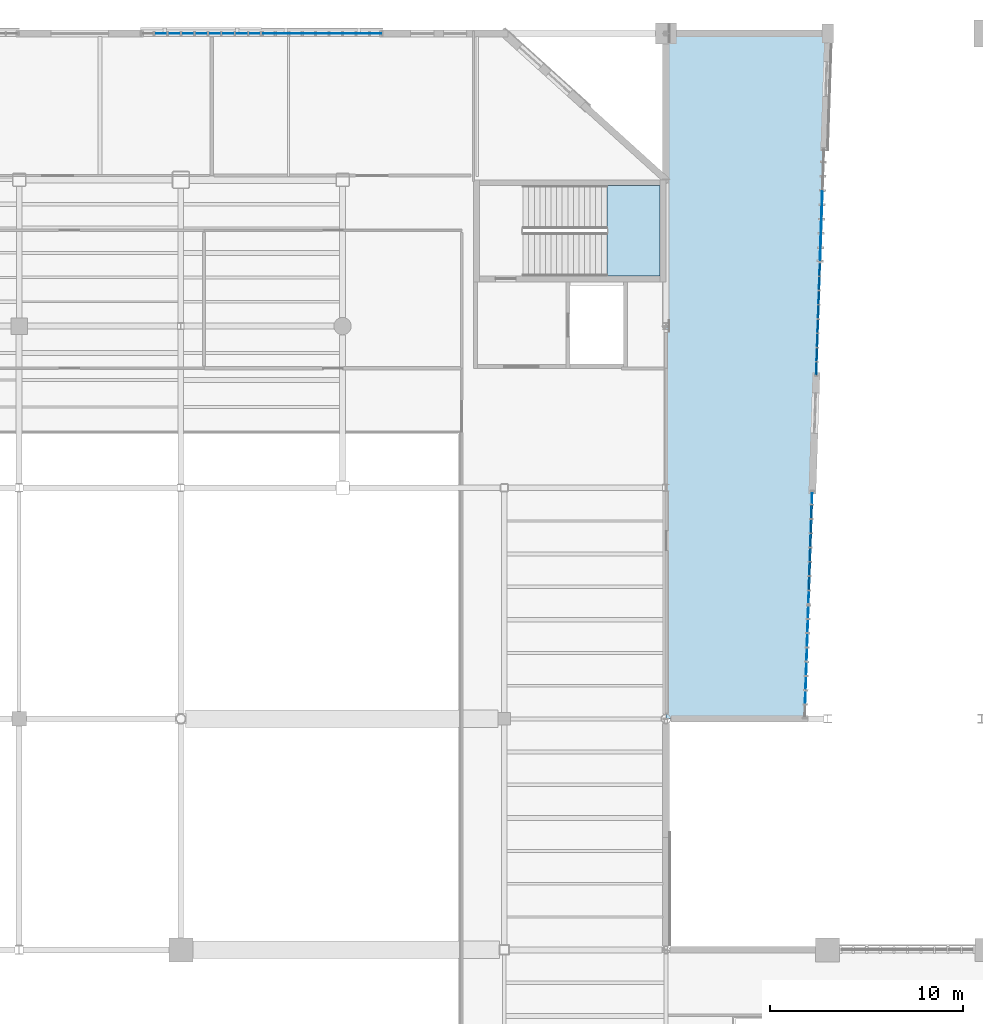
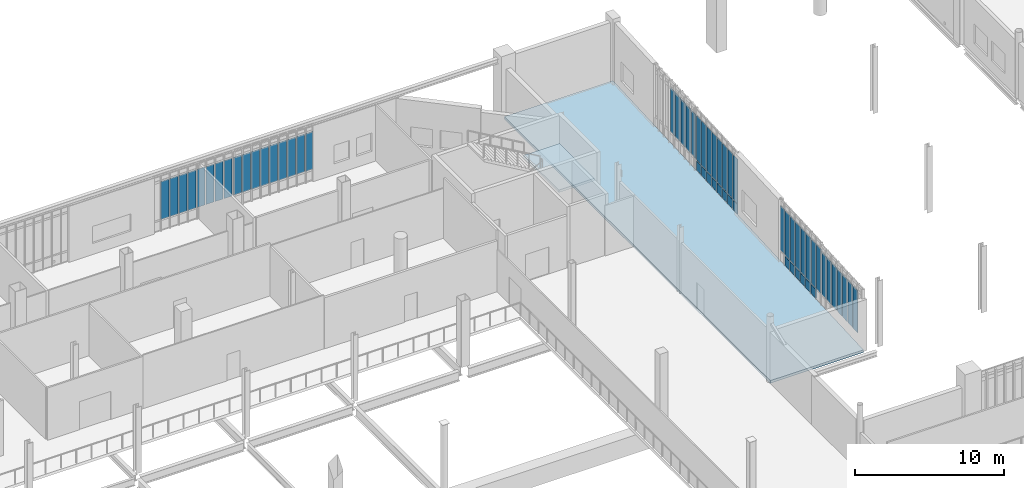
# One storey, part 79 of 127: 59 plates, 2 slabs, 7 elements without a shape of their own.
"""IFC4 building model written with IfcOpenShell, lengths in metres."""

from ifc_helpers import new_model, si_unit, direction, frame, origin, origin_2d, place, context, subcontext, project, spatial, polyline, rectangle, outline, extrude, material, layer, layer_set, type_object, element, aggregate, save


model = new_model("IFC4")

# Units and contexts
model_context = context("Model", 3, precision=1e-05, world=origin(), true_north=direction((0.0, 1.0)))
body_context = subcontext(model_context, "Body", "Model", "MODEL_VIEW")
ifc_project = project(units=[si_unit("LENGTHUNIT", "METRE"), si_unit("AREAUNIT", "SQUARE_METRE"), si_unit("VOLUMEUNIT", "CUBIC_METRE"), si_unit("PLANEANGLEUNIT", "RADIAN"), si_unit("MASSUNIT", "GRAM", prefix="KILO")], contexts=[model_context])

# Site, building, storey
site_placement = place(None, origin())
site = spatial("IfcSite", under=ifc_project, at=site_placement, CompositionType="ELEMENT")
building_placement = place(site_placement, origin())
building = spatial("IfcBuilding", under=site, at=building_placement, Name="Larkvane Passage Sports Hall", CompositionType="ELEMENT")
storey_placement = place(building_placement, frame((0.0, 0.0, 5.39990234375)))
storey = spatial("IfcBuildingStorey", under=building, at=storey_placement, Name="L01", CompositionType="ELEMENT", Elevation=5.39990234375)

# Curtain wall, plates
ifc_material_1 = material(Name="Thermally broken aluminium and low-E glazing", Category="aluminium")
curtain_wall_type_1 = type_object("IfcCurtainWallType", Name="CW-UNIT-COURT", PredefinedType="USERDEFINED", material=ifc_material_1)
curtain_wall_1_placement = place(storey_placement, origin())
curtain_wall_1 = element("IfcCurtainWall", 1, at=curtain_wall_1_placement, inside=storey, type_object=curtain_wall_type_1, Name="Curtain wall CW5-L01-044", ObjectType="UNITISED CURTAIN WALL", PredefinedType="USERDEFINED")
ifc_material_2 = material(Name="Insulated aluminium spandrel panel", Category="aluminium")
ifc_layer_1 = layer(ifc_material_2, 0.06494140625)
ifc_layer_set_1 = layer_set([ifc_layer_1], Name="Insulated aluminium spandrel panel")
plate_type_1 = type_object("IfcPlateType", Name="CWP-SPD-65", PredefinedType="CURTAIN_PANEL", material=ifc_layer_set_1)
plate_1_placement = place(storey_placement, frame((101.5869140625, 86.947509765625, 0.06005859375), z_axis=(0.0, 0.0, 1.0), x_axis=(-0.033688920742, -0.999432367206, 0.0)))
plate_1 = element("IfcPlate", 2, at=plate_1_placement, type_object=plate_type_1, Name="CW-01 panel 1.1", PredefinedType="CURTAIN_PANEL", context=body_context, shape_type="SweptSolid", body=[
    extrude(rectangle(XDim=0.652099609375, YDim=0.06494140625, at=origin_2d()), origin(), (0.0, 0.0, 1.0), 0.760009765625),
])
plate_2_placement = place(storey_placement, frame((101.5625, 86.220703125, 0.06005859375), z_axis=(0.0, 0.0, 1.0), x_axis=(-0.033688920742, -0.999432367206, 0.0)))
plate_2 = element("IfcPlate", 3, at=plate_2_placement, type_object=plate_type_1, Name="CW-01 panel 2.1", PredefinedType="CURTAIN_PANEL", context=body_context, shape_type="SweptSolid", body=[
    extrude(rectangle(XDim=0.68212890625, YDim=0.06494140625, at=origin_2d()), origin(), (0.0, 0.0, 1.0), 0.760009765625),
])
plate_3_placement = place(storey_placement, frame((101.53759765625, 85.479248046875, 0.06005859375), z_axis=(0.0, 0.0, 1.0), x_axis=(-0.033688920742, -0.999432367206, 0.0)))
plate_3 = element("IfcPlate", 4, at=plate_3_placement, type_object=plate_type_1, Name="CW-01 panel 3.1", PredefinedType="CURTAIN_PANEL", context=body_context, shape_type="SweptSolid", body=[
    extrude(rectangle(XDim=0.68212890625, YDim=0.06494140625, at=origin_2d()), origin(), (0.0, 0.0, 1.0), 0.760009765625),
])
plate_4_placement = place(storey_placement, frame((101.512451171875, 84.737548828125, 0.06005859375), z_axis=(0.0, 0.0, 1.0), x_axis=(-0.033688920742, -0.999432367206, 0.0)))
plate_4 = element("IfcPlate", 5, at=plate_4_placement, type_object=plate_type_1, Name="CW-01 panel 4.1", PredefinedType="CURTAIN_PANEL", context=body_context, shape_type="SweptSolid", body=[
    extrude(rectangle(XDim=0.68212890625, YDim=0.06494140625, at=origin_2d()), origin(), (0.0, 0.0, 1.0), 0.760009765625),
])
plate_5_placement = place(storey_placement, frame((101.487548828125, 83.995849609375, 0.06005859375), z_axis=(0.0, 0.0, 1.0), x_axis=(-0.033688920742, -0.999432367206, 0.0)))
plate_5 = element("IfcPlate", 6, at=plate_5_placement, type_object=plate_type_1, Name="CW-01 panel 5.1", PredefinedType="CURTAIN_PANEL", context=body_context, shape_type="SweptSolid", body=[
    extrude(rectangle(XDim=0.68212890625, YDim=0.06494140625, at=origin_2d()), origin(), (0.0, 0.0, 1.0), 0.760009765625),
])
plate_6_placement = place(storey_placement, frame((101.46240234375, 83.254150390625, 0.06005859375), z_axis=(0.0, 0.0, 1.0), x_axis=(-0.033688920742, -0.999432367206, 0.0)))
plate_6 = element("IfcPlate", 7, at=plate_6_placement, type_object=plate_type_1, Name="CW-01 panel 6.1", PredefinedType="CURTAIN_PANEL", context=body_context, shape_type="SweptSolid", body=[
    extrude(rectangle(XDim=0.68212890625, YDim=0.06494140625, at=origin_2d()), origin(), (0.0, 0.0, 1.0), 0.760009765625),
])
plate_7_placement = place(storey_placement, frame((101.4375, 82.512451171875, 0.06005859375), z_axis=(0.0, 0.0, 1.0), x_axis=(-0.033688920742, -0.999432367206, 0.0)))
plate_7 = element("IfcPlate", 8, at=plate_7_placement, type_object=plate_type_1, Name="CW-01 panel 7.1", PredefinedType="CURTAIN_PANEL", context=body_context, shape_type="SweptSolid", body=[
    extrude(rectangle(XDim=0.68212890625, YDim=0.06494140625, at=origin_2d()), origin(), (0.0, 0.0, 1.0), 0.760009765625),
])
plate_8_placement = place(storey_placement, frame((101.4130859375, 81.785888671875, 0.06005859375), z_axis=(0.0, 0.0, 1.0), x_axis=(-0.033688920742, -0.999432367206, 0.0)))
plate_8 = element("IfcPlate", 9, at=plate_8_placement, type_object=plate_type_1, Name="CW-01 panel 8.1", PredefinedType="CURTAIN_PANEL", context=body_context, shape_type="SweptSolid", body=[
    extrude(rectangle(XDim=0.652099609375, YDim=0.06494140625, at=origin_2d()), origin(), (0.0, 0.0, 1.0), 0.760009765625),
])

curtain_wall_type_2 = type_object("IfcCurtainWallType", Name="CW-UNIT-VEIL", PredefinedType="USERDEFINED", material=ifc_material_1)
curtain_wall_2_placement = place(storey_placement, origin())
curtain_wall_2 = element("IfcCurtainWall", 10, at=curtain_wall_2_placement, inside=storey, type_object=curtain_wall_type_2, Name="Curtain wall CW5-L01-045", ObjectType="UNITISED CURTAIN WALL", PredefinedType="USERDEFINED")
ifc_material_3 = material(Name="Mineral-wool insulated spandrel cassette")
ifc_layer_2 = layer(ifc_material_3, 0.0849609375)
ifc_layer_set_2 = layer_set([ifc_layer_2], Name="Mineral-wool insulated spandrel cassette")
plate_type_2 = type_object("IfcPlateType", Name="CWP-SPD-85", PredefinedType="CURTAIN_PANEL", material=ifc_layer_set_2)
plate_9_placement = place(storey_placement, frame((101.16259765625, 74.354248046875, 0.070068359375), z_axis=(0.0, 0.0, 1.0), x_axis=(-0.033688353605, -0.999432386323, 0.0)))
plate_9 = element("IfcPlate", 11, at=plate_9_placement, type_object=plate_type_2, Name="CW-02 panel 2.1", PredefinedType="CURTAIN_PANEL", context=body_context, shape_type="SweptSolid", body=[
    extrude(rectangle(XDim=0.672119140625, YDim=0.0849609375, at=origin_2d()), origin(), (0.0, 0.0, 1.0), 0.7451171875),
])
plate_10_placement = place(storey_placement, frame((101.137451171875, 73.612548828125, 0.070068359375), z_axis=(0.0, 0.0, 1.0), x_axis=(-0.033688353605, -0.999432386323, 0.0)))
plate_10 = element("IfcPlate", 12, at=plate_10_placement, type_object=plate_type_2, Name="CW-02 panel 3.1", PredefinedType="CURTAIN_PANEL", context=body_context, shape_type="SweptSolid", body=[
    extrude(rectangle(XDim=0.672119140625, YDim=0.0849609375, at=origin_2d()), origin(), (0.0, 0.0, 1.0), 0.7451171875),
])
plate_11_placement = place(storey_placement, frame((101.112548828125, 72.870849609375, 0.070068359375), z_axis=(0.0, 0.0, 1.0), x_axis=(-0.033688353605, -0.999432386323, 0.0)))
plate_11 = element("IfcPlate", 13, at=plate_11_placement, type_object=plate_type_2, Name="CW-02 panel 4.1", PredefinedType="CURTAIN_PANEL", context=body_context, shape_type="SweptSolid", body=[
    extrude(rectangle(XDim=0.672119140625, YDim=0.0849609375, at=origin_2d()), origin(), (0.0, 0.0, 1.0), 0.7451171875),
])
plate_12_placement = place(storey_placement, frame((101.08740234375, 72.129150390625, 0.070068359375), z_axis=(0.0, 0.0, 1.0), x_axis=(-0.033688353605, -0.999432386323, 0.0)))
plate_12 = element("IfcPlate", 14, at=plate_12_placement, type_object=plate_type_2, Name="CW-02 panel 5.1", PredefinedType="CURTAIN_PANEL", context=body_context, shape_type="SweptSolid", body=[
    extrude(rectangle(XDim=0.672119140625, YDim=0.0849609375, at=origin_2d()), origin(), (0.0, 0.0, 1.0), 0.7451171875),
])
plate_13_placement = place(storey_placement, frame((101.0625, 71.387451171875, 0.070068359375), z_axis=(0.0, 0.0, 1.0), x_axis=(-0.033688353605, -0.999432386323, 0.0)))
plate_13 = element("IfcPlate", 15, at=plate_13_placement, type_object=plate_type_2, Name="CW-02 panel 6.1", PredefinedType="CURTAIN_PANEL", context=body_context, shape_type="SweptSolid", body=[
    extrude(rectangle(XDim=0.672119140625, YDim=0.0849609375, at=origin_2d()), origin(), (0.0, 0.0, 1.0), 0.7451171875),
])
plate_14_placement = place(storey_placement, frame((101.03759765625, 70.645751953125, 0.070068359375), z_axis=(0.0, 0.0, 1.0), x_axis=(-0.033688353605, -0.999432386323, 0.0)))
plate_14 = element("IfcPlate", 16, at=plate_14_placement, type_object=plate_type_2, Name="CW-02 panel 7.1", PredefinedType="CURTAIN_PANEL", context=body_context, shape_type="SweptSolid", body=[
    extrude(rectangle(XDim=0.672119140625, YDim=0.0849609375, at=origin_2d()), origin(), (0.0, 0.0, 1.0), 0.7451171875),
])

# Plate
ifc_material_4 = material(Name="Solar-control low-E double glazing", Category="glass")
ifc_layer_3 = layer(ifc_material_4, 0.028076171875)
ifc_layer_set_3 = layer_set([ifc_layer_3], Name="Solar-control low-E double glazing")
plate_type_3 = type_object("IfcPlateType", Name="CWP-VIS-28", PredefinedType="CURTAIN_PANEL", material=ifc_layer_set_3)
plate_15_placement = place(storey_placement, frame((101.5869140625, 86.947509765625, 0.88037109375), z_axis=(0.0, 0.0, 1.0), x_axis=(-0.033688920742, -0.999432367206, 0.0)))
plate_15 = element("IfcPlate", 17, at=plate_15_placement, type_object=plate_type_3, Name="CW-01 panel 1.2", PredefinedType="CURTAIN_PANEL", context=body_context, shape_type="SweptSolid", body=[
    extrude(rectangle(XDim=0.652099609375, YDim=0.028076171875, at=origin_2d()), origin(), (0.0, 0.0, 1.0), 3.639892578125),
])

plate_16_placement = place(storey_placement, frame((101.5625, 86.220703125, 0.88037109375), z_axis=(0.0, 0.0, 1.0), x_axis=(-0.033688920742, -0.999432367206, 0.0)))
plate_16 = element("IfcPlate", 18, at=plate_16_placement, type_object=plate_type_3, Name="CW-01 panel 2.2", PredefinedType="CURTAIN_PANEL", context=body_context, shape_type="SweptSolid", body=[
    extrude(rectangle(XDim=0.68212890625, YDim=0.028076171875, at=origin_2d()), origin(), (0.0, 0.0, 1.0), 3.639892578125),
])

plate_17_placement = place(storey_placement, frame((101.53759765625, 85.479248046875, 0.88037109375), z_axis=(0.0, 0.0, 1.0), x_axis=(-0.033688920742, -0.999432367206, 0.0)))
plate_17 = element("IfcPlate", 19, at=plate_17_placement, type_object=plate_type_3, Name="CW-01 panel 3.2", PredefinedType="CURTAIN_PANEL", context=body_context, shape_type="SweptSolid", body=[
    extrude(rectangle(XDim=0.68212890625, YDim=0.028076171875, at=origin_2d()), origin(), (0.0, 0.0, 1.0), 3.639892578125),
])

plate_18_placement = place(storey_placement, frame((101.512451171875, 84.737548828125, 0.88037109375), z_axis=(0.0, 0.0, 1.0), x_axis=(-0.033688920742, -0.999432367206, 0.0)))
plate_18 = element("IfcPlate", 20, at=plate_18_placement, type_object=plate_type_3, Name="CW-01 panel 4.2", PredefinedType="CURTAIN_PANEL", context=body_context, shape_type="SweptSolid", body=[
    extrude(rectangle(XDim=0.68212890625, YDim=0.028076171875, at=origin_2d()), origin(), (0.0, 0.0, 1.0), 3.639892578125),
])

plate_19_placement = place(storey_placement, frame((101.487548828125, 83.995849609375, 0.88037109375), z_axis=(0.0, 0.0, 1.0), x_axis=(-0.033688920742, -0.999432367206, 0.0)))
plate_19 = element("IfcPlate", 21, at=plate_19_placement, type_object=plate_type_3, Name="CW-01 panel 5.2", PredefinedType="CURTAIN_PANEL", context=body_context, shape_type="SweptSolid", body=[
    extrude(rectangle(XDim=0.68212890625, YDim=0.028076171875, at=origin_2d()), origin(), (0.0, 0.0, 1.0), 3.639892578125),
])

plate_20_placement = place(storey_placement, frame((101.46240234375, 83.254150390625, 0.88037109375), z_axis=(0.0, 0.0, 1.0), x_axis=(-0.033688920742, -0.999432367206, 0.0)))
plate_20 = element("IfcPlate", 22, at=plate_20_placement, type_object=plate_type_3, Name="CW-01 panel 6.2", PredefinedType="CURTAIN_PANEL", context=body_context, shape_type="SweptSolid", body=[
    extrude(rectangle(XDim=0.68212890625, YDim=0.028076171875, at=origin_2d()), origin(), (0.0, 0.0, 1.0), 3.639892578125),
])

plate_21_placement = place(storey_placement, frame((101.4375, 82.512451171875, 0.88037109375), z_axis=(0.0, 0.0, 1.0), x_axis=(-0.033688920742, -0.999432367206, 0.0)))
plate_21 = element("IfcPlate", 23, at=plate_21_placement, type_object=plate_type_3, Name="CW-01 panel 7.2", PredefinedType="CURTAIN_PANEL", context=body_context, shape_type="SweptSolid", body=[
    extrude(rectangle(XDim=0.68212890625, YDim=0.028076171875, at=origin_2d()), origin(), (0.0, 0.0, 1.0), 3.639892578125),
])

plate_22_placement = place(storey_placement, frame((101.4130859375, 81.785888671875, 0.88037109375), z_axis=(0.0, 0.0, 1.0), x_axis=(-0.033688920742, -0.999432367206, 0.0)))
plate_22 = element("IfcPlate", 24, at=plate_22_placement, type_object=plate_type_3, Name="CW-01 panel 8.2", PredefinedType="CURTAIN_PANEL", context=body_context, shape_type="SweptSolid", body=[
    extrude(rectangle(XDim=0.652099609375, YDim=0.028076171875, at=origin_2d()), origin(), (0.0, 0.0, 1.0), 3.639892578125),
])

aggregate(curtain_wall_1, [plate_1, plate_15, plate_2, plate_16, plate_3, plate_17, plate_4, plate_18, plate_5, plate_19, plate_6, plate_20, plate_7, plate_21, plate_8, plate_22])

# Curtain wall, plates
curtain_wall_3_placement = place(storey_placement, origin())
curtain_wall_3 = element("IfcCurtainWall", 25, at=curtain_wall_3_placement, inside=storey, type_object=curtain_wall_type_2, Name="Curtain wall CW5-L01-041", ObjectType="UNITISED CURTAIN WALL", PredefinedType="USERDEFINED")
ifc_material_5 = material(Name="Laminated acoustic low-E glazing", Category="glass")
ifc_layer_4 = layer(ifc_material_5, 0.031982421875)
ifc_layer_set_4 = layer_set([ifc_layer_4], Name="Laminated acoustic low-E glazing")
plate_type_4 = type_object("IfcPlateType", Name="CWP-VIS-32", PredefinedType="CURTAIN_PANEL", material=ifc_layer_set_4)
plate_23_placement = place(storey_placement, frame((67.35009765625, 99.199951171875, 0.8876953125), z_axis=(0.0, 0.0, 1.0), x_axis=(1.0, 0.0, 0.0)))
plate_23 = element("IfcPlate", 26, at=plate_23_placement, type_object=plate_type_4, Name="CW-02 panel 2.2", PredefinedType="CURTAIN_PANEL", context=body_context, shape_type="SweptSolid", body=[
    extrude(rectangle(XDim=0.625, YDim=0.031982421875, at=origin_2d()), origin(), (0.0, 0.0, 1.0), 3.10302734375),
])
plate_24_placement = place(storey_placement, frame((68.050048828125, 99.199951171875, 0.8876953125), z_axis=(0.0, 0.0, 1.0), x_axis=(1.0, 0.0, 0.0)))
plate_24 = element("IfcPlate", 27, at=plate_24_placement, type_object=plate_type_4, Name="CW-02 panel 3.2", PredefinedType="CURTAIN_PANEL", context=body_context, shape_type="SweptSolid", body=[
    extrude(rectangle(XDim=0.625, YDim=0.031982421875, at=origin_2d()), origin(), (0.0, 0.0, 1.0), 3.10302734375),
])
plate_25_placement = place(storey_placement, frame((68.75, 99.199951171875, 0.8876953125), z_axis=(0.0, 0.0, 1.0), x_axis=(1.0, 0.0, 0.0)))
plate_25 = element("IfcPlate", 28, at=plate_25_placement, type_object=plate_type_4, Name="CW-02 panel 4.2", PredefinedType="CURTAIN_PANEL", context=body_context, shape_type="SweptSolid", body=[
    extrude(rectangle(XDim=0.625, YDim=0.031982421875, at=origin_2d()), origin(), (0.0, 0.0, 1.0), 3.10302734375),
])
plate_26_placement = place(storey_placement, frame((69.449951171875, 99.199951171875, 0.8876953125), z_axis=(0.0, 0.0, 1.0), x_axis=(1.0, 0.0, 0.0)))
plate_26 = element("IfcPlate", 29, at=plate_26_placement, type_object=plate_type_4, Name="CW-02 panel 5.2", PredefinedType="CURTAIN_PANEL", context=body_context, shape_type="SweptSolid", body=[
    extrude(rectangle(XDim=0.625, YDim=0.031982421875, at=origin_2d()), origin(), (0.0, 0.0, 1.0), 3.10302734375),
])
plate_27_placement = place(storey_placement, frame((70.14990234375, 99.199951171875, 0.8876953125), z_axis=(0.0, 0.0, 1.0), x_axis=(1.0, 0.0, 0.0)))
plate_27 = element("IfcPlate", 30, at=plate_27_placement, type_object=plate_type_4, Name="CW-02 panel 6.2", PredefinedType="CURTAIN_PANEL", context=body_context, shape_type="SweptSolid", body=[
    extrude(rectangle(XDim=0.625, YDim=0.031982421875, at=origin_2d()), origin(), (0.0, 0.0, 1.0), 3.10302734375),
])
plate_28_placement = place(storey_placement, frame((70.85009765625, 99.199951171875, 0.8876953125), z_axis=(0.0, 0.0, 1.0), x_axis=(1.0, 0.0, 0.0)))
plate_28 = element("IfcPlate", 31, at=plate_28_placement, type_object=plate_type_4, Name="CW-02 panel 7.2", PredefinedType="CURTAIN_PANEL", context=body_context, shape_type="SweptSolid", body=[
    extrude(rectangle(XDim=0.625, YDim=0.031982421875, at=origin_2d()), origin(), (0.0, 0.0, 1.0), 3.10302734375),
])
plate_29_placement = place(storey_placement, frame((71.550048828125, 99.199951171875, 0.8876953125), z_axis=(0.0, 0.0, 1.0), x_axis=(1.0, 0.0, 0.0)))
plate_29 = element("IfcPlate", 32, at=plate_29_placement, type_object=plate_type_4, Name="CW-02 panel 8.2", PredefinedType="CURTAIN_PANEL", context=body_context, shape_type="SweptSolid", body=[
    extrude(rectangle(XDim=0.625, YDim=0.031982421875, at=origin_2d()), origin(), (0.0, 0.0, 1.0), 3.10302734375),
])
plate_30_placement = place(storey_placement, frame((72.231201171875, 99.199951171875, 0.8876953125), z_axis=(0.0, 0.0, 1.0), x_axis=(1.0, 0.0, 0.0)))
plate_30 = element("IfcPlate", 33, at=plate_30_placement, type_object=plate_type_4, Name="CW-02 panel 9.2", PredefinedType="CURTAIN_PANEL", context=body_context, shape_type="SweptSolid", body=[
    extrude(rectangle(XDim=0.58740234375, YDim=0.031982421875, at=origin_2d()), origin(), (0.0, 0.0, 1.0), 3.10302734375),
])
aggregate(curtain_wall_3, [plate_23, plate_24, plate_25, plate_26, plate_27, plate_28, plate_29, plate_30])

# Plate
plate_31_placement = place(storey_placement, frame((101.18701171875, 75.078369140625, 0.88525390625), z_axis=(0.0, 0.0, 1.0), x_axis=(-0.033688353605, -0.999432386323, 0.0)))
plate_31 = element("IfcPlate", 34, at=plate_31_placement, type_object=plate_type_4, Name="CW-02 panel 1.2", PredefinedType="CURTAIN_PANEL", context=body_context, shape_type="SweptSolid", body=[
    extrude(rectangle(XDim=0.63720703125, YDim=0.031982421875, at=origin_2d()), origin(), (0.0, 0.0, 1.0), 3.6298828125),
])

plate_32_placement = place(storey_placement, frame((101.16259765625, 74.354248046875, 0.88525390625), z_axis=(0.0, 0.0, 1.0), x_axis=(-0.033688353605, -0.999432386323, 0.0)))
plate_32 = element("IfcPlate", 35, at=plate_32_placement, type_object=plate_type_4, Name="CW-02 panel 2.2", PredefinedType="CURTAIN_PANEL", context=body_context, shape_type="SweptSolid", body=[
    extrude(rectangle(XDim=0.672119140625, YDim=0.031982421875, at=origin_2d()), origin(), (0.0, 0.0, 1.0), 3.6298828125),
])

plate_33_placement = place(storey_placement, frame((101.137451171875, 73.612548828125, 0.88525390625), z_axis=(0.0, 0.0, 1.0), x_axis=(-0.033688353605, -0.999432386323, 0.0)))
plate_33 = element("IfcPlate", 36, at=plate_33_placement, type_object=plate_type_4, Name="CW-02 panel 3.2", PredefinedType="CURTAIN_PANEL", context=body_context, shape_type="SweptSolid", body=[
    extrude(rectangle(XDim=0.672119140625, YDim=0.031982421875, at=origin_2d()), origin(), (0.0, 0.0, 1.0), 3.6298828125),
])

plate_34_placement = place(storey_placement, frame((101.112548828125, 72.870849609375, 0.88525390625), z_axis=(0.0, 0.0, 1.0), x_axis=(-0.033688353605, -0.999432386323, 0.0)))
plate_34 = element("IfcPlate", 37, at=plate_34_placement, type_object=plate_type_4, Name="CW-02 panel 4.2", PredefinedType="CURTAIN_PANEL", context=body_context, shape_type="SweptSolid", body=[
    extrude(rectangle(XDim=0.672119140625, YDim=0.031982421875, at=origin_2d()), origin(), (0.0, 0.0, 1.0), 3.6298828125),
])

plate_35_placement = place(storey_placement, frame((101.08740234375, 72.129150390625, 0.88525390625), z_axis=(0.0, 0.0, 1.0), x_axis=(-0.033688353605, -0.999432386323, 0.0)))
plate_35 = element("IfcPlate", 38, at=plate_35_placement, type_object=plate_type_4, Name="CW-02 panel 5.2", PredefinedType="CURTAIN_PANEL", context=body_context, shape_type="SweptSolid", body=[
    extrude(rectangle(XDim=0.672119140625, YDim=0.031982421875, at=origin_2d()), origin(), (0.0, 0.0, 1.0), 3.6298828125),
])

plate_36_placement = place(storey_placement, frame((101.0625, 71.387451171875, 0.88525390625), z_axis=(0.0, 0.0, 1.0), x_axis=(-0.033688353605, -0.999432386323, 0.0)))
plate_36 = element("IfcPlate", 39, at=plate_36_placement, type_object=plate_type_4, Name="CW-02 panel 6.2", PredefinedType="CURTAIN_PANEL", context=body_context, shape_type="SweptSolid", body=[
    extrude(rectangle(XDim=0.672119140625, YDim=0.031982421875, at=origin_2d()), origin(), (0.0, 0.0, 1.0), 3.6298828125),
])

plate_37_placement = place(storey_placement, frame((101.03759765625, 70.645751953125, 0.88525390625), z_axis=(0.0, 0.0, 1.0), x_axis=(-0.033688353605, -0.999432386323, 0.0)))
plate_37 = element("IfcPlate", 40, at=plate_37_placement, type_object=plate_type_4, Name="CW-02 panel 7.2", PredefinedType="CURTAIN_PANEL", context=body_context, shape_type="SweptSolid", body=[
    extrude(rectangle(XDim=0.672119140625, YDim=0.031982421875, at=origin_2d()), origin(), (0.0, 0.0, 1.0), 3.6298828125),
])

plate_38_placement = place(storey_placement, frame((101.01318359375, 69.921630859375, 0.88525390625), z_axis=(0.0, 0.0, 1.0), x_axis=(-0.033688353605, -0.999432386323, 0.0)))
plate_38 = element("IfcPlate", 41, at=plate_38_placement, type_object=plate_type_4, Name="CW-02 panel 8.2", PredefinedType="CURTAIN_PANEL", context=body_context, shape_type="SweptSolid", body=[
    extrude(rectangle(XDim=0.63720703125, YDim=0.031982421875, at=origin_2d()), origin(), (0.0, 0.0, 1.0), 3.6298828125),
])

aggregate(curtain_wall_2, [plate_31, plate_9, plate_32, plate_10, plate_33, plate_11, plate_34, plate_12, plate_35, plate_13, plate_36, plate_14, plate_37, plate_38])

# Curtain wall, plates
curtain_wall_type_3 = type_object("IfcCurtainWallType", Name="CW-STICK-FOYER", PredefinedType="USERDEFINED", material=ifc_material_1)
curtain_wall_4_placement = place(storey_placement, origin())
curtain_wall_4 = element("IfcCurtainWall", 42, at=curtain_wall_4_placement, inside=storey, type_object=curtain_wall_type_3, Name="Curtain wall CW5-L01-042", ObjectType="STICK CURTAIN WALL", PredefinedType="USERDEFINED")
ifc_material_6 = material(Name="High-impact court low-E glazing", Category="glass")
ifc_layer_5 = layer(ifc_material_6, 0.035888671875)
ifc_layer_set_5 = layer_set([ifc_layer_5], Name="High-impact court low-E glazing")
plate_type_5 = type_object("IfcPlateType", Name="CWP-VIS-36", PredefinedType="CURTAIN_PANEL", material=ifc_layer_set_5)
plate_39_placement = place(storey_placement, frame((72.972412109375, 99.199951171875, 0.895263671875), z_axis=(0.0, 0.0, 1.0), x_axis=(1.0, 0.0, 0.0)))
plate_39 = element("IfcPlate", 43, at=plate_39_placement, type_object=plate_type_5, Name="CW-03 panel 1.2", PredefinedType="CURTAIN_PANEL", context=body_context, shape_type="SweptSolid", body=[
    extrude(rectangle(XDim=0.56494140625, YDim=0.035888671875, at=origin_2d()), origin(), (0.0, 0.0, 1.0), 3.087890625),
])
plate_40_placement = place(storey_placement, frame((73.64990234375, 99.199951171875, 0.895263671875), z_axis=(0.0, 0.0, 1.0), x_axis=(1.0, 0.0, 0.0)))
plate_40 = element("IfcPlate", 44, at=plate_40_placement, type_object=plate_type_5, Name="CW-03 panel 2.2", PredefinedType="CURTAIN_PANEL", context=body_context, shape_type="SweptSolid", body=[
    extrude(rectangle(XDim=0.610107421875, YDim=0.035888671875, at=origin_2d()), origin(), (0.0, 0.0, 1.0), 3.087890625),
])
plate_41_placement = place(storey_placement, frame((74.35009765625, 99.199951171875, 0.895263671875), z_axis=(0.0, 0.0, 1.0), x_axis=(1.0, 0.0, 0.0)))
plate_41 = element("IfcPlate", 45, at=plate_41_placement, type_object=plate_type_5, Name="CW-03 panel 3.2", PredefinedType="CURTAIN_PANEL", context=body_context, shape_type="SweptSolid", body=[
    extrude(rectangle(XDim=0.610107421875, YDim=0.035888671875, at=origin_2d()), origin(), (0.0, 0.0, 1.0), 3.087890625),
])
plate_42_placement = place(storey_placement, frame((75.050048828125, 99.199951171875, 0.895263671875), z_axis=(0.0, 0.0, 1.0), x_axis=(1.0, 0.0, 0.0)))
plate_42 = element("IfcPlate", 46, at=plate_42_placement, type_object=plate_type_5, Name="CW-03 panel 4.2", PredefinedType="CURTAIN_PANEL", context=body_context, shape_type="SweptSolid", body=[
    extrude(rectangle(XDim=0.610107421875, YDim=0.035888671875, at=origin_2d()), origin(), (0.0, 0.0, 1.0), 3.087890625),
])
plate_43_placement = place(storey_placement, frame((75.75, 99.199951171875, 0.895263671875), z_axis=(0.0, 0.0, 1.0), x_axis=(1.0, 0.0, 0.0)))
plate_43 = element("IfcPlate", 47, at=plate_43_placement, type_object=plate_type_5, Name="CW-03 panel 5.2", PredefinedType="CURTAIN_PANEL", context=body_context, shape_type="SweptSolid", body=[
    extrude(rectangle(XDim=0.610107421875, YDim=0.035888671875, at=origin_2d()), origin(), (0.0, 0.0, 1.0), 3.087890625),
])
plate_44_placement = place(storey_placement, frame((76.449951171875, 99.199951171875, 0.895263671875), z_axis=(0.0, 0.0, 1.0), x_axis=(1.0, 0.0, 0.0)))
plate_44 = element("IfcPlate", 48, at=plate_44_placement, type_object=plate_type_5, Name="CW-03 panel 6.2", PredefinedType="CURTAIN_PANEL", context=body_context, shape_type="SweptSolid", body=[
    extrude(rectangle(XDim=0.610107421875, YDim=0.035888671875, at=origin_2d()), origin(), (0.0, 0.0, 1.0), 3.087890625),
])
plate_45_placement = place(storey_placement, frame((77.14990234375, 99.199951171875, 0.895263671875), z_axis=(0.0, 0.0, 1.0), x_axis=(1.0, 0.0, 0.0)))
plate_45 = element("IfcPlate", 49, at=plate_45_placement, type_object=plate_type_5, Name="CW-03 panel 7.2", PredefinedType="CURTAIN_PANEL", context=body_context, shape_type="SweptSolid", body=[
    extrude(rectangle(XDim=0.610107421875, YDim=0.035888671875, at=origin_2d()), origin(), (0.0, 0.0, 1.0), 3.087890625),
])
plate_46_placement = place(storey_placement, frame((77.85009765625, 99.199951171875, 0.895263671875), z_axis=(0.0, 0.0, 1.0), x_axis=(1.0, 0.0, 0.0)))
plate_46 = element("IfcPlate", 50, at=plate_46_placement, type_object=plate_type_5, Name="CW-03 panel 8.2", PredefinedType="CURTAIN_PANEL", context=body_context, shape_type="SweptSolid", body=[
    extrude(rectangle(XDim=0.610107421875, YDim=0.035888671875, at=origin_2d()), origin(), (0.0, 0.0, 1.0), 3.087890625),
])
plate_47_placement = place(storey_placement, frame((78.527587890625, 99.199951171875, 0.895263671875), z_axis=(0.0, 0.0, 1.0), x_axis=(1.0, 0.0, 0.0)))
plate_47 = element("IfcPlate", 51, at=plate_47_placement, type_object=plate_type_5, Name="CW-03 panel 9.2", PredefinedType="CURTAIN_PANEL", context=body_context, shape_type="SweptSolid", body=[
    extrude(rectangle(XDim=0.56494140625, YDim=0.035888671875, at=origin_2d()), origin(), (0.0, 0.0, 1.0), 3.087890625),
])
aggregate(curtain_wall_4, [plate_39, plate_40, plate_41, plate_42, plate_43, plate_44, plate_45, plate_46, plate_47])

curtain_wall_5_placement = place(storey_placement, origin())
curtain_wall_5 = element("IfcCurtainWall", 52, at=curtain_wall_5_placement, inside=storey, type_object=curtain_wall_type_3, Name="Curtain wall CW5-L01-046", ObjectType="STICK CURTAIN WALL", PredefinedType="USERDEFINED")
plate_48_placement = place(storey_placement, frame((100.98681640625, 69.142578125, 0.89013671875), z_axis=(0.0, 0.0, 1.0), x_axis=(-0.033688920742, -0.999432367206, 0.0)))
plate_48 = element("IfcPlate", 53, at=plate_48_placement, type_object=plate_type_5, Name="CW-03 panel 1.2", PredefinedType="CURTAIN_PANEL", context=body_context, shape_type="SweptSolid", body=[
    extrude(rectangle(XDim=0.6220703125, YDim=0.035888671875, at=origin_2d()), origin(), (0.0, 0.0, 1.0), 3.4580078125),
])
plate_49_placement = place(storey_placement, frame((100.96240234375, 68.4208984375, 0.89013671875), z_axis=(0.0, 0.0, 1.0), x_axis=(-0.033688920742, -0.999432367206, 0.0)))
plate_49 = element("IfcPlate", 54, at=plate_49_placement, type_object=plate_type_5, Name="CW-03 panel 2.2", PredefinedType="CURTAIN_PANEL", context=body_context, shape_type="SweptSolid", body=[
    extrude(rectangle(XDim=0.662109375, YDim=0.035888671875, at=origin_2d()), origin(), (0.0, 0.0, 1.0), 3.4580078125),
])
plate_50_placement = place(storey_placement, frame((100.9375, 67.67919921875, 0.89013671875), z_axis=(0.0, 0.0, 1.0), x_axis=(-0.033688920742, -0.999432367206, 0.0)))
plate_50 = element("IfcPlate", 55, at=plate_50_placement, type_object=plate_type_5, Name="CW-03 panel 3.2", PredefinedType="CURTAIN_PANEL", context=body_context, shape_type="SweptSolid", body=[
    extrude(rectangle(XDim=0.662109375, YDim=0.035888671875, at=origin_2d()), origin(), (0.0, 0.0, 1.0), 3.4580078125),
])
plate_51_placement = place(storey_placement, frame((100.91259765625, 66.9375, 0.89013671875), z_axis=(0.0, 0.0, 1.0), x_axis=(-0.033688920742, -0.999432367206, 0.0)))
plate_51 = element("IfcPlate", 56, at=plate_51_placement, type_object=plate_type_5, Name="CW-03 panel 4.2", PredefinedType="CURTAIN_PANEL", context=body_context, shape_type="SweptSolid", body=[
    extrude(rectangle(XDim=0.662109375, YDim=0.035888671875, at=origin_2d()), origin(), (0.0, 0.0, 1.0), 3.4580078125),
])
plate_52_placement = place(storey_placement, frame((100.887451171875, 66.19580078125, 0.89013671875), z_axis=(0.0, 0.0, 1.0), x_axis=(-0.033688920742, -0.999432367206, 0.0)))
plate_52 = element("IfcPlate", 57, at=plate_52_placement, type_object=plate_type_5, Name="CW-03 panel 5.2", PredefinedType="CURTAIN_PANEL", context=body_context, shape_type="SweptSolid", body=[
    extrude(rectangle(XDim=0.662109375, YDim=0.035888671875, at=origin_2d()), origin(), (0.0, 0.0, 1.0), 3.4580078125),
])
plate_53_placement = place(storey_placement, frame((100.862548828125, 65.4541015625, 0.89013671875), z_axis=(0.0, 0.0, 1.0), x_axis=(-0.033688920742, -0.999432367206, 0.0)))
plate_53 = element("IfcPlate", 58, at=plate_53_placement, type_object=plate_type_5, Name="CW-03 panel 6.2", PredefinedType="CURTAIN_PANEL", context=body_context, shape_type="SweptSolid", body=[
    extrude(rectangle(XDim=0.662109375, YDim=0.035888671875, at=origin_2d()), origin(), (0.0, 0.0, 1.0), 3.4580078125),
])
plate_54_placement = place(storey_placement, frame((100.83740234375, 64.71240234375, 0.89013671875), z_axis=(0.0, 0.0, 1.0), x_axis=(-0.033688920742, -0.999432367206, 0.0)))
plate_54 = element("IfcPlate", 59, at=plate_54_placement, type_object=plate_type_5, Name="CW-03 panel 7.2", PredefinedType="CURTAIN_PANEL", context=body_context, shape_type="SweptSolid", body=[
    extrude(rectangle(XDim=0.662109375, YDim=0.035888671875, at=origin_2d()), origin(), (0.0, 0.0, 1.0), 3.4580078125),
])
aggregate(curtain_wall_5, [plate_48, plate_49, plate_50, plate_51, plate_52, plate_53, plate_54])

curtain_wall_type_4 = type_object("IfcCurtainWallType", Name="CW-CLINIC", PredefinedType="USERDEFINED", material=ifc_material_1)
curtain_wall_6_placement = place(storey_placement, origin())
curtain_wall_6 = element("IfcCurtainWall", 60, at=curtain_wall_6_placement, inside=storey, type_object=curtain_wall_type_4, Name="Curtain wall CW5-L01-043", ObjectType="UNITISED CURTAIN WALL", PredefinedType="USERDEFINED")
ifc_material_7 = material(Name="Triple-laminated typhoon glazing", Category="glass")
ifc_layer_6 = layer(ifc_material_7, 0.0419921875)
ifc_layer_set_6 = layer_set([ifc_layer_6], Name="Triple-laminated typhoon glazing")
plate_type_6 = type_object("IfcPlateType", Name="CWP-VIS-42", PredefinedType="CURTAIN_PANEL", material=ifc_layer_set_6)
plate_55_placement = place(storey_placement, frame((101.71240234375, 90.6708984375, 0.900146484375), z_axis=(0.0, 0.0, 1.0), x_axis=(-0.033688353605, -0.999432386323, 0.0)))
plate_55 = element("IfcPlate", 61, at=plate_55_placement, type_object=plate_type_6, Name="CW-05 panel 4.2", PredefinedType="CURTAIN_PANEL", context=body_context, shape_type="SweptSolid", body=[
    extrude(rectangle(XDim=0.64208984375, YDim=0.0419921875, at=origin_2d()), origin(), (0.0, 0.0, 1.0), 3.60009765625),
])
plate_56_placement = place(storey_placement, frame((101.6875, 89.92919921875, 0.900146484375), z_axis=(0.0, 0.0, 1.0), x_axis=(-0.033688353605, -0.999432386323, 0.0)))
plate_56 = element("IfcPlate", 62, at=plate_56_placement, type_object=plate_type_6, Name="CW-05 panel 5.2", PredefinedType="CURTAIN_PANEL", context=body_context, shape_type="SweptSolid", body=[
    extrude(rectangle(XDim=0.64208984375, YDim=0.0419921875, at=origin_2d()), origin(), (0.0, 0.0, 1.0), 3.60009765625),
])
plate_57_placement = place(storey_placement, frame((101.66259765625, 89.1875, 0.900146484375), z_axis=(0.0, 0.0, 1.0), x_axis=(-0.033688353605, -0.999432386323, 0.0)))
plate_57 = element("IfcPlate", 63, at=plate_57_placement, type_object=plate_type_6, Name="CW-05 panel 6.2", PredefinedType="CURTAIN_PANEL", context=body_context, shape_type="SweptSolid", body=[
    extrude(rectangle(XDim=0.64208984375, YDim=0.0419921875, at=origin_2d()), origin(), (0.0, 0.0, 1.0), 3.60009765625),
])
plate_58_placement = place(storey_placement, frame((101.637451171875, 88.44580078125, 0.900146484375), z_axis=(0.0, 0.0, 1.0), x_axis=(-0.033688353605, -0.999432386323, 0.0)))
plate_58 = element("IfcPlate", 64, at=plate_58_placement, type_object=plate_type_6, Name="CW-05 panel 7.2", PredefinedType="CURTAIN_PANEL", context=body_context, shape_type="SweptSolid", body=[
    extrude(rectangle(XDim=0.64208984375, YDim=0.0419921875, at=origin_2d()), origin(), (0.0, 0.0, 1.0), 3.60009765625),
])
plate_59_placement = place(storey_placement, frame((101.61328125, 87.72900390625, 0.900146484375), z_axis=(0.0, 0.0, 1.0), x_axis=(-0.033688353605, -0.999432386323, 0.0)))
plate_59 = element("IfcPlate", 65, at=plate_59_placement, type_object=plate_type_6, Name="CW-05 panel 8.2", PredefinedType="CURTAIN_PANEL", context=body_context, shape_type="SweptSolid", body=[
    extrude(rectangle(XDim=0.592041015625, YDim=0.0419921875, at=origin_2d()), origin(), (0.0, 0.0, 1.0), 3.60009765625),
])
aggregate(curtain_wall_6, [plate_55, plate_56, plate_57, plate_58, plate_59])

# Slab
ifc_material_8 = material(Name="Concrete C40/50", Category="concrete")
ifc_layer_7 = layer(ifc_material_8, 0.2119140625)
ifc_layer_set_7 = layer_set([ifc_layer_7], Name="Concrete C40/50")
slab_type_1 = type_object("IfcSlabType", Name="SLB-FLR-190", PredefinedType="FLOOR", material=ifc_layer_set_7)
slab_1_placement = place(storey_placement, frame((0.0, 0.0, -0.2119140625)))
element("IfcSlab", 66, at=slab_1_placement, inside=storey, type_object=slab_type_1, Name="Structural floor slab SLAB-L01-V3G", PredefinedType="FLOOR", context=body_context, shape_type="SweptSolid", body=[
    extrude(outline(polyline([(93.60009765625, 63.60009765625), (100.800048828125, 63.60009765625), (102.0, 99.199951171875), (93.60009765625, 99.199951171875), (93.60009765625, 63.60009765625)])), origin(), (0.0, 0.0, 1.0), 0.2119140625),
])

# Stair, slab
stair_type = type_object("IfcStairType", Name="STR-CORE-2250", PredefinedType="HALF_TURN_STAIR", material=ifc_material_8)
stair_placement = place(storey_placement, origin())
stair = element("IfcStair", 67, at=stair_placement, inside=storey, type_object=stair_type, Name="L01 Protected exit stair ST-03", PredefinedType="HALF_TURN_STAIR")
ifc_layer_8 = layer(ifc_material_8, 0.199951171875)
ifc_layer_set_8 = layer_set([ifc_layer_8], Name="Concrete C40/50")
slab_type_2 = type_object("IfcSlabType", Name="SLB-LAND-200", PredefinedType="LANDING", material=ifc_layer_set_8)
slab_2_placement = place(storey_placement, frame((0.0, 0.0, 2.5)))
slab_2 = element("IfcSlab", 68, at=slab_2_placement, type_object=slab_type_2, Name="ST-03 landing 1", PredefinedType="LANDING", context=body_context, shape_type="SweptSolid", body=[
    extrude(outline(polyline([(90.530029296875, 86.60009765625), (93.300048828125, 86.60009765625), (93.300048828125, 91.300048828125), (90.530029296875, 91.300048828125), (90.530029296875, 86.60009765625)])), origin(), (0.0, 0.0, 1.0), 0.2001953125),
])
aggregate(stair, [slab_2])

save(model, "model.ifc")
